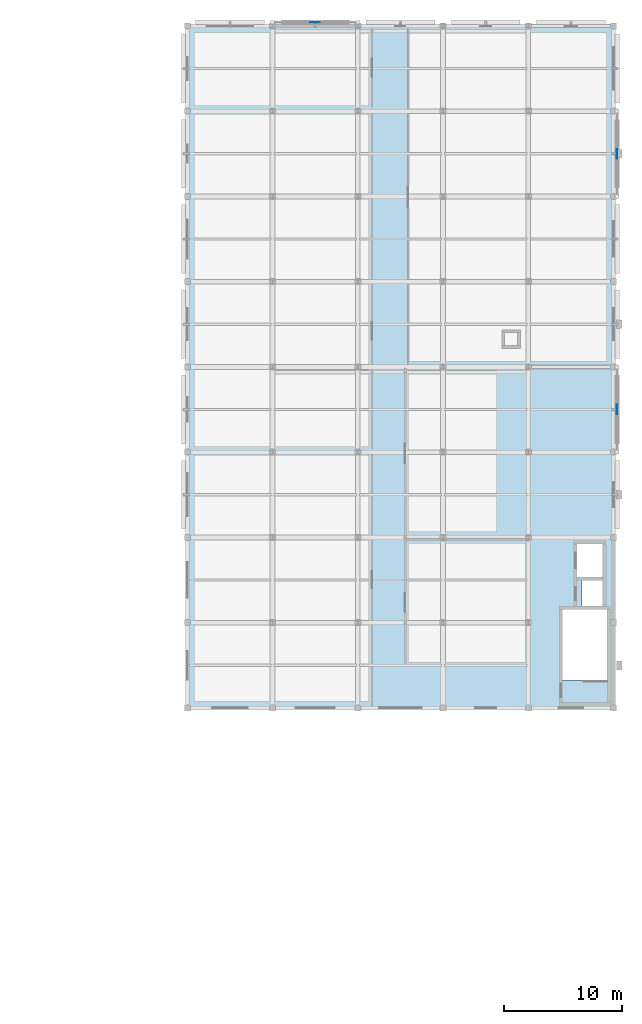
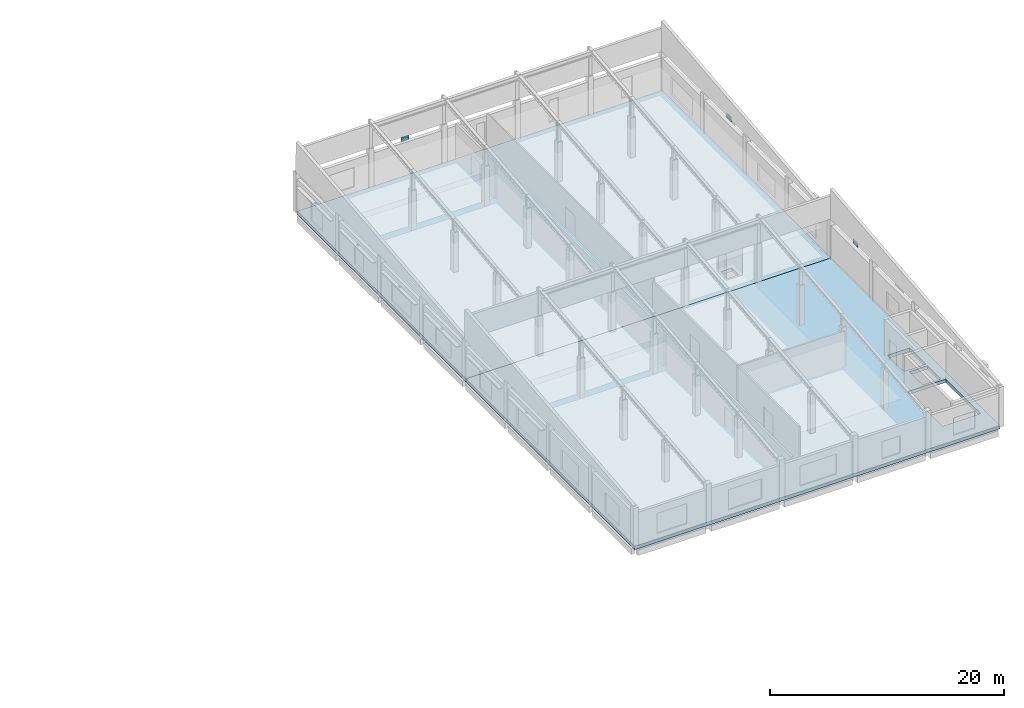
# One storey, part 22 of 33: 3 plates, 2 slabs.
"""IFC4 building model written with IfcOpenShell, lengths in metres."""

from ifc_helpers import new_model, si_unit, direction, frame, origin, origin_2d, place, context, subcontext, project, spatial, polyline, rectangle, outline, extrude, material, layer, layer_set, type_object, element, save


model = new_model("IFC4")

# Units and contexts
model_context = context("Model", 3, precision=1e-05, world=origin(), true_north=direction((0.0, 1.0)))
body_context = subcontext(model_context, "Body", "Model", "MODEL_VIEW")
ifc_project = project(units=[si_unit("LENGTHUNIT", "METRE"), si_unit("AREAUNIT", "SQUARE_METRE"), si_unit("VOLUMEUNIT", "CUBIC_METRE"), si_unit("PLANEANGLEUNIT", "RADIAN"), si_unit("MASSUNIT", "GRAM", prefix="KILO")], contexts=[model_context])

# Site, building, storey
site_placement = place(None, origin())
site = spatial("IfcSite", under=ifc_project, at=site_placement, CompositionType="ELEMENT")
building_placement = place(site_placement, origin())
building = spatial("IfcBuilding", under=site, at=building_placement, Name="Valkovuoma Quantum and Materials Research Institute", CompositionType="ELEMENT")
storey_placement = place(building_placement, frame((0.0, 0.0, 25.60009765625)))
storey = spatial("IfcBuildingStorey", under=building, at=storey_placement, Name="L06", CompositionType="ELEMENT", Elevation=25.60009765625)

# Plates
ifc_material_1 = material(Name="Steel S355J2", Category="steel")
plate_type = type_object("IfcPlateType", Name="Plate-PL-SHT3", PredefinedType="SHEET", material=ifc_material_1)
for number, where, z_axis, x_axis, name in (
    (1, (165.89990234375, 82.800048828125, 3.349853515625), (0.0, 0.0, 1.0), (0.0, 1.0, 0.0), "L06 chevron node sheet plate 14"),
    (2, (165.89990234375, 104.39990234375, 3.349853515625), (0.0, 0.0, 1.0), (0.0, 1.0, 0.0), "L06 chevron node sheet plate 20"),
    (3, (140.39990234375, 115.5, 3.349853515625), (0.0, 0.0, 1.0), (1.0, 0.0, 0.0), "L06 chevron node sheet plate 26"),
):
    element("IfcPlate", number, at=place(storey_placement, frame(where, z_axis=z_axis, x_axis=x_axis)), inside=storey, type_object=plate_type, Name=name, PredefinedType="SHEET", context=body_context, shape_type="SweptSolid", body=[
        extrude(rectangle(XDim=0.800048828125, YDim=0.02490234375, at=origin_2d()), origin(), (0.0, 0.0, 1.0), 0.52001953125),
    ])

# Slabs
ifc_material_2 = material(Name="Concrete C40/50", Category="concrete")
ifc_layer = layer(ifc_material_2, 0.35009765625)
ifc_layer_set = layer_set([ifc_layer], Name="Concrete C40/50")
slab_type = type_object("IfcSlabType", Name="Slab-SL-FL350", PredefinedType="FLOOR", material=ifc_layer_set)
slab_1_placement = place(storey_placement, frame((0.0, 0.0, -0.35009765625)))
element("IfcSlab", 4, at=slab_1_placement, inside=storey, type_object=slab_type, Name="L06 vol4_wetlab structural slab 1", PredefinedType="FLOOR", context=body_context, shape_type="SweptSolid", body=[
    extrude(outline(polyline([(129.60009765625, 57.60009765625), (165.60009765625, 57.60009765625), (165.60009765625, 86.39990234375), (129.60009765625, 86.39990234375), (129.60009765625, 57.60009765625)]), holes=[polyline([(161.300048828125, 59.9599609375), (165.050048828125, 59.9599609375), (165.050048828125, 65.89990234375), (161.300048828125, 65.89990234375), (161.300048828125, 59.9599609375)]), polyline([(162.919921875, 66.1201171875), (164.679931640625, 66.1201171875), (164.679931640625, 68.3798828125), (162.919921875, 68.3798828125), (162.919921875, 66.1201171875)]), polyline([(162.52001953125, 68.669921875), (164.679931640625, 68.669921875), (164.679931640625, 71.429931640625), (162.52001953125, 71.429931640625), (162.52001953125, 68.669921875)])]), origin(), (0.0, 0.0, 1.0), 0.35009765625),
])
slab_2_placement = place(storey_placement, frame((0.0, 0.0, -0.35009765625)))
element("IfcSlab", 5, at=slab_2_placement, inside=storey, type_object=slab_type, Name="L06 vol4_wetlab structural slab 2", PredefinedType="FLOOR", context=body_context, shape_type="SweptSolid", body=[
    extrude(outline(polyline([(129.60009765625, 86.39990234375), (165.60009765625, 86.39990234375), (165.60009765625, 115.199951171875), (129.60009765625, 115.199951171875), (129.60009765625, 86.39990234375)]), holes=[polyline([(156.39990234375, 88.199951171875), (157.5, 88.199951171875), (157.5, 89.300048828125), (156.39990234375, 89.300048828125), (156.39990234375, 88.199951171875)])]), origin(), (0.0, 0.0, 1.0), 0.35009765625),
])

save(model, "model.ifc")
